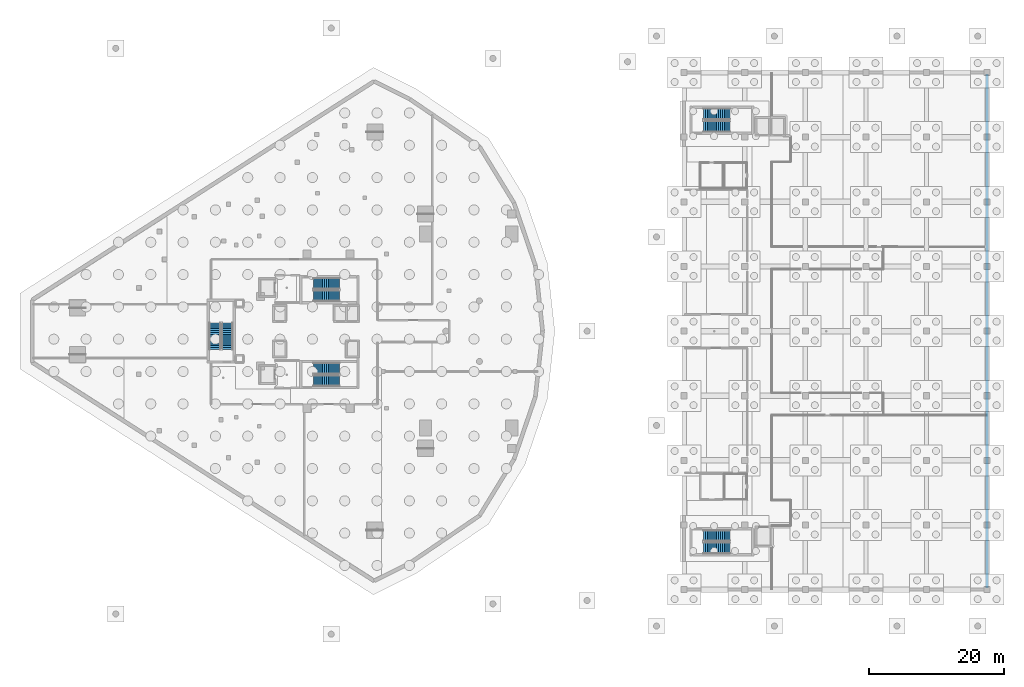
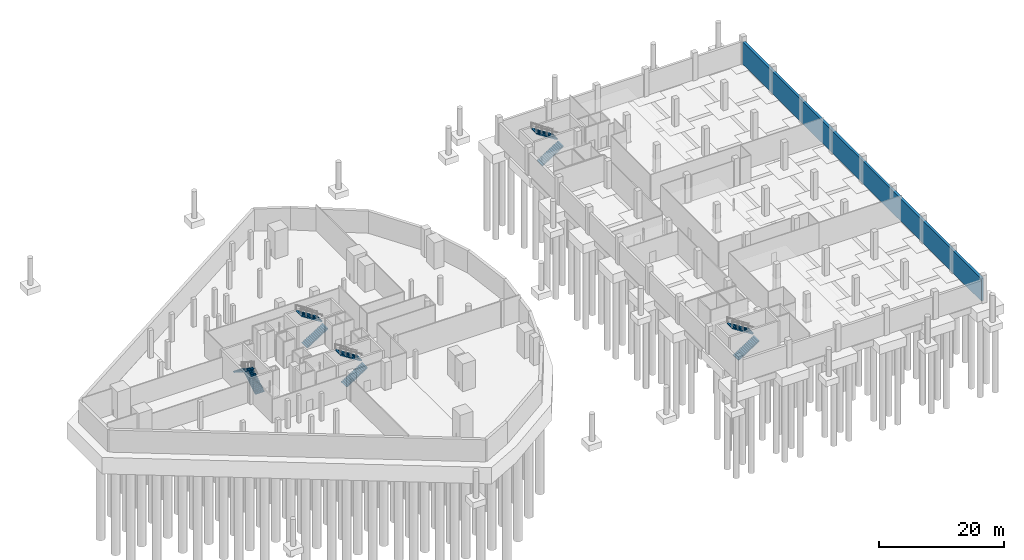
# One storey, part 12 of 22: 10 stair flights, 1 wall, 5 elements without a shape of their own.
"""IFC4 building model written with IfcOpenShell, lengths in metres."""

from ifc_helpers import new_model, si_unit, direction, frame, frame_2d, origin, place, context, subcontext, project, spatial, polyline, rectangle, outline, extrude, material, layer, layer_set, type_object, element, aggregate, save


model = new_model("IFC4")

# Units and contexts
model_context = context("Model", 3, precision=1e-05, world=origin(), true_north=direction((0.0, 1.0)))
body_context = subcontext(model_context, "Body", "Model", "MODEL_VIEW")
ifc_project = project(units=[si_unit("LENGTHUNIT", "METRE"), si_unit("AREAUNIT", "SQUARE_METRE"), si_unit("VOLUMEUNIT", "CUBIC_METRE"), si_unit("PLANEANGLEUNIT", "RADIAN"), si_unit("MASSUNIT", "GRAM", prefix="KILO")], contexts=[model_context])

# Site, building, storey
site_placement = place(None, origin())
site = spatial("IfcSite", under=ifc_project, at=site_placement, CompositionType="ELEMENT")
building_placement = place(site_placement, origin())
building = spatial("IfcBuilding", under=site, at=building_placement, Name="Qorvath Tower", CompositionType="ELEMENT")
storey_placement = place(building_placement, frame((0.0, 0.0, -5.39990234375)))
storey = spatial("IfcBuildingStorey", under=building, at=storey_placement, Name="B01", CompositionType="ELEMENT", Elevation=-5.39990234375)

# Wall
ifc_material_1 = material(Name="Concrete C45/55", Category="concrete")
ifc_layer_1 = layer(ifc_material_1, 0.449951171875)
ifc_layer_set_1 = layer_set([ifc_layer_1], Name="WL-RW-450")
wall_type = type_object("IfcWallType", Name="WL-RW-450", PredefinedType="USERDEFINED", material=ifc_layer_set_1)
wall_placement = place(storey_placement, frame((77.39990234375, -38.159912109375, 0.0), z_axis=(0.0, 0.0, 1.0), x_axis=(0.0, 1.0, 0.0)))
element("IfcWall", 1, at=wall_placement, inside=storey, type_object=wall_type, Name="Library Basement Retaining Wall 2", ObjectType="RETAININGWALL", PredefinedType="USERDEFINED", context=body_context, shape_type="SweptSolid", body=[
    extrude(rectangle(XDim=76.31982421875, YDim=0.449951171875, at=frame_2d((38.159912109375, 0.0))), origin(), (0.0, 0.0, 1.0), 4.349853515625),
])

# Stair, stair flights
ifc_material_2 = material(Name="Concrete C50/60", Category="concrete")
stair_type = type_object("IfcStairType", Name="ST-H540", PredefinedType="HALF_TURN_STAIR", material=ifc_material_2)
stair_1_placement = place(storey_placement, origin())
stair_1 = element("IfcStair", 2, at=stair_1_placement, inside=storey, type_object=stair_type, Name="B01 Library Exit Stair 1", PredefinedType="HALF_TURN_STAIR")
ifc_material_3 = material(Name="Concrete C50/60", Category="concrete")
ifc_layer_2 = layer(ifc_material_3, 0.14990234375)
ifc_layer_set_2 = layer_set([ifc_layer_2], Name="SF-H540")
stair_flight_type = type_object("IfcStairFlightType", Name="SF-H540", PredefinedType="STRAIGHT", material=ifc_layer_set_2)
stair_flight_1_placement = place(storey_placement, frame((35.280029296875, 30.389892578125, 0.0), z_axis=(0.0, 0.0, 1.0), x_axis=(1.0, 0.0, 0.0)))
stair_flight_1 = element("IfcStairFlight", 3, at=stair_flight_1_placement, type_object=stair_flight_type, Name="LS1 flight 1", NumberOfRisers=15, NumberOfTreads=14, PredefinedType="STRAIGHT", RiserHeight=0.18, TreadLength=0.28, context=body_context, shape_type="SweptSolid", body=[
    extrude(outline(polyline([(0.0, 0.0), (0.0, 0.179931640625), (0.280029296875, 0.179931640625), (0.280029296875, 0.360107421875), (0.56005859375, 0.360107421875), (0.56005859375, 0.5400390625), (0.840087890625, 0.5400390625), (0.840087890625, 0.719970703125), (1.1201171875, 0.719970703125), (1.1201171875, 0.89990234375), (1.39990234375, 0.89990234375), (1.39990234375, 1.080078125), (1.679931640625, 1.080078125), (1.679931640625, 1.260009765625), (1.9599609375, 1.260009765625), (1.9599609375, 1.43994140625), (2.239990234375, 1.43994140625), (2.239990234375, 1.6201171875), (2.52001953125, 1.6201171875), (2.52001953125, 1.800048828125), (2.800048828125, 1.800048828125), (2.800048828125, 1.97998046875), (3.080078125, 1.97998046875), (3.080078125, 2.159912109375), (3.360107421875, 2.159912109375), (3.360107421875, 2.340087890625), (3.639892578125, 2.340087890625), (3.639892578125, 2.52001953125), (3.919921875, 2.52001953125), (3.919921875, 2.699951171875), (3.919921875, 2.341796875), (0.277099609375, 0.0), (0.0, 0.0)])), frame((0.0, 0.83984375, 0.0), z_axis=(0.0, -1.0, 0.0), x_axis=(1.0, 0.0, 0.0)), (0.0, 0.0, 1.0), 1.679931640625),
])
stair_flight_2_placement = place(storey_placement, frame((39.199951171875, 32.219970703125, 2.699951171875), z_axis=(0.0, 0.0, 1.0), x_axis=(-1.0, 0.0, 0.0)))
stair_flight_2 = element("IfcStairFlight", 4, at=stair_flight_2_placement, type_object=stair_flight_type, Name="LS1 flight 2", NumberOfRisers=15, NumberOfTreads=14, PredefinedType="STRAIGHT", RiserHeight=0.18, TreadLength=0.28, context=body_context, shape_type="SweptSolid", body=[
    extrude(outline(polyline([(0.0, 0.0), (0.0, 0.179931640625), (0.280029296875, 0.179931640625), (0.280029296875, 0.360107421875), (0.56005859375, 0.360107421875), (0.56005859375, 0.5400390625), (0.840087890625, 0.5400390625), (0.840087890625, 0.719970703125), (1.1201171875, 0.719970703125), (1.1201171875, 0.89990234375), (1.39990234375, 0.89990234375), (1.39990234375, 1.080078125), (1.679931640625, 1.080078125), (1.679931640625, 1.260009765625), (1.9599609375, 1.260009765625), (1.9599609375, 1.43994140625), (2.239990234375, 1.43994140625), (2.239990234375, 1.6201171875), (2.52001953125, 1.6201171875), (2.52001953125, 1.800048828125), (2.800048828125, 1.800048828125), (2.800048828125, 1.97998046875), (3.080078125, 1.97998046875), (3.080078125, 2.159912109375), (3.360107421875, 2.159912109375), (3.360107421875, 2.340087890625), (3.639892578125, 2.340087890625), (3.639892578125, 2.52001953125), (3.919921875, 2.52001953125), (3.919921875, 2.699951171875), (3.919921875, 2.341796875), (0.277099609375, 0.0), (0.0, 0.0)])), frame((0.0, 0.83984375, 0.0), z_axis=(0.0, -1.0, 0.0), x_axis=(1.0, 0.0, 0.0)), (0.0, 0.0, 1.0), 1.679931640625),
])
aggregate(stair_1, [stair_flight_1, stair_flight_2])

stair_2_placement = place(storey_placement, origin())
stair_2 = element("IfcStair", 5, at=stair_2_placement, inside=storey, type_object=stair_type, Name="B01 Library Exit Stair 2", PredefinedType="HALF_TURN_STAIR")
stair_flight_3_placement = place(storey_placement, frame((35.280029296875, -32.2099609375, 0.0), z_axis=(0.0, 0.0, 1.0), x_axis=(1.0, 0.0, 0.0)))
stair_flight_3 = element("IfcStairFlight", 6, at=stair_flight_3_placement, type_object=stair_flight_type, Name="LS2 flight 1", NumberOfRisers=15, NumberOfTreads=14, PredefinedType="STRAIGHT", RiserHeight=0.18, TreadLength=0.28, context=body_context, shape_type="SweptSolid", body=[
    extrude(outline(polyline([(0.0, 0.0), (0.0, 0.179931640625), (0.280029296875, 0.179931640625), (0.280029296875, 0.360107421875), (0.56005859375, 0.360107421875), (0.56005859375, 0.5400390625), (0.840087890625, 0.5400390625), (0.840087890625, 0.719970703125), (1.1201171875, 0.719970703125), (1.1201171875, 0.89990234375), (1.39990234375, 0.89990234375), (1.39990234375, 1.080078125), (1.679931640625, 1.080078125), (1.679931640625, 1.260009765625), (1.9599609375, 1.260009765625), (1.9599609375, 1.43994140625), (2.239990234375, 1.43994140625), (2.239990234375, 1.6201171875), (2.52001953125, 1.6201171875), (2.52001953125, 1.800048828125), (2.800048828125, 1.800048828125), (2.800048828125, 1.97998046875), (3.080078125, 1.97998046875), (3.080078125, 2.159912109375), (3.360107421875, 2.159912109375), (3.360107421875, 2.340087890625), (3.639892578125, 2.340087890625), (3.639892578125, 2.52001953125), (3.919921875, 2.52001953125), (3.919921875, 2.699951171875), (3.919921875, 2.341796875), (0.277099609375, 0.0), (0.0, 0.0)])), frame((0.0, 0.83984375, 0.0), z_axis=(0.0, -1.0, 0.0), x_axis=(1.0, 0.0, 0.0)), (0.0, 0.0, 1.0), 1.679931640625),
])
stair_flight_4_placement = place(storey_placement, frame((39.199951171875, -30.3798828125, 2.699951171875), z_axis=(0.0, 0.0, 1.0), x_axis=(-1.0, 0.0, 0.0)))
stair_flight_4 = element("IfcStairFlight", 7, at=stair_flight_4_placement, type_object=stair_flight_type, Name="LS2 flight 2", NumberOfRisers=15, NumberOfTreads=14, PredefinedType="STRAIGHT", RiserHeight=0.18, TreadLength=0.28, context=body_context, shape_type="SweptSolid", body=[
    extrude(outline(polyline([(0.0, 0.0), (0.0, 0.179931640625), (0.280029296875, 0.179931640625), (0.280029296875, 0.360107421875), (0.56005859375, 0.360107421875), (0.56005859375, 0.5400390625), (0.840087890625, 0.5400390625), (0.840087890625, 0.719970703125), (1.1201171875, 0.719970703125), (1.1201171875, 0.89990234375), (1.39990234375, 0.89990234375), (1.39990234375, 1.080078125), (1.679931640625, 1.080078125), (1.679931640625, 1.260009765625), (1.9599609375, 1.260009765625), (1.9599609375, 1.43994140625), (2.239990234375, 1.43994140625), (2.239990234375, 1.6201171875), (2.52001953125, 1.6201171875), (2.52001953125, 1.800048828125), (2.800048828125, 1.800048828125), (2.800048828125, 1.97998046875), (3.080078125, 1.97998046875), (3.080078125, 2.159912109375), (3.360107421875, 2.159912109375), (3.360107421875, 2.340087890625), (3.639892578125, 2.340087890625), (3.639892578125, 2.52001953125), (3.919921875, 2.52001953125), (3.919921875, 2.699951171875), (3.919921875, 2.341796875), (0.277099609375, 0.0), (0.0, 0.0)])), frame((0.0, 0.83984375, 0.0), z_axis=(0.0, -1.0, 0.0), x_axis=(1.0, 0.0, 0.0)), (0.0, 0.0, 1.0), 1.679931640625),
])
aggregate(stair_2, [stair_flight_3, stair_flight_4])

stair_3_placement = place(storey_placement, origin())
stair_3 = element("IfcStair", 8, at=stair_3_placement, inside=storey, type_object=stair_type, Name="B01 Tower Exit Stair 1", PredefinedType="HALF_TURN_STAIR")
stair_flight_5_placement = place(storey_placement, frame((-22.669921875, 5.239990234375, 0.0), z_axis=(0.0, 0.0, 1.0), x_axis=(1.0, 0.0, 0.0)))
stair_flight_5 = element("IfcStairFlight", 9, at=stair_flight_5_placement, type_object=stair_flight_type, Name="TS1 flight 1", NumberOfRisers=15, NumberOfTreads=14, PredefinedType="STRAIGHT", RiserHeight=0.18, TreadLength=0.28, context=body_context, shape_type="SweptSolid", body=[
    extrude(outline(polyline([(0.0, 0.0), (0.0, 0.179931640625), (0.280029296875, 0.179931640625), (0.280029296875, 0.360107421875), (0.56005859375, 0.360107421875), (0.56005859375, 0.5400390625), (0.840087890625, 0.5400390625), (0.840087890625, 0.719970703125), (1.1201171875, 0.719970703125), (1.1201171875, 0.89990234375), (1.39990234375, 0.89990234375), (1.39990234375, 1.080078125), (1.679931640625, 1.080078125), (1.679931640625, 1.260009765625), (1.9599609375, 1.260009765625), (1.9599609375, 1.43994140625), (2.239990234375, 1.43994140625), (2.239990234375, 1.6201171875), (2.52001953125, 1.6201171875), (2.52001953125, 1.800048828125), (2.800048828125, 1.800048828125), (2.800048828125, 1.97998046875), (3.080078125, 1.97998046875), (3.080078125, 2.159912109375), (3.360107421875, 2.159912109375), (3.360107421875, 2.340087890625), (3.639892578125, 2.340087890625), (3.639892578125, 2.52001953125), (3.919921875, 2.52001953125), (3.919921875, 2.699951171875), (3.919921875, 2.341796875), (0.277099609375, 0.0), (0.0, 0.0)])), frame((0.0, 0.83984375, 0.0), z_axis=(0.0, -1.0, 0.0), x_axis=(1.0, 0.0, 0.0)), (0.0, 0.0, 1.0), 1.679931640625),
])
stair_flight_6_placement = place(storey_placement, frame((-18.75, 7.070068359375, 2.699951171875), z_axis=(0.0, 0.0, 1.0), x_axis=(-1.0, 0.0, 0.0)))
stair_flight_6 = element("IfcStairFlight", 10, at=stair_flight_6_placement, type_object=stair_flight_type, Name="TS1 flight 2", NumberOfRisers=15, NumberOfTreads=14, PredefinedType="STRAIGHT", RiserHeight=0.18, TreadLength=0.28, context=body_context, shape_type="SweptSolid", body=[
    extrude(outline(polyline([(0.0, 0.0), (0.0, 0.179931640625), (0.280029296875, 0.179931640625), (0.280029296875, 0.360107421875), (0.56005859375, 0.360107421875), (0.56005859375, 0.5400390625), (0.840087890625, 0.5400390625), (0.840087890625, 0.719970703125), (1.1201171875, 0.719970703125), (1.1201171875, 0.89990234375), (1.39990234375, 0.89990234375), (1.39990234375, 1.080078125), (1.679931640625, 1.080078125), (1.679931640625, 1.260009765625), (1.9599609375, 1.260009765625), (1.9599609375, 1.43994140625), (2.239990234375, 1.43994140625), (2.239990234375, 1.6201171875), (2.52001953125, 1.6201171875), (2.52001953125, 1.800048828125), (2.800048828125, 1.800048828125), (2.800048828125, 1.97998046875), (3.080078125, 1.97998046875), (3.080078125, 2.159912109375), (3.360107421875, 2.159912109375), (3.360107421875, 2.340087890625), (3.639892578125, 2.340087890625), (3.639892578125, 2.52001953125), (3.919921875, 2.52001953125), (3.919921875, 2.699951171875), (3.919921875, 2.341796875), (0.277099609375, 0.0), (0.0, 0.0)])), frame((0.0, 0.83984375, 0.0), z_axis=(0.0, -1.0, 0.0), x_axis=(1.0, 0.0, 0.0)), (0.0, 0.0, 1.0), 1.679931640625),
])
aggregate(stair_3, [stair_flight_5, stair_flight_6])

stair_4_placement = place(storey_placement, origin())
stair_4 = element("IfcStair", 11, at=stair_4_placement, inside=storey, type_object=stair_type, Name="B01 Tower Exit Stair 2", PredefinedType="HALF_TURN_STAIR")
stair_flight_7_placement = place(storey_placement, frame((-22.669921875, -7.360107421875, 0.0), z_axis=(0.0, 0.0, 1.0), x_axis=(1.0, 0.0, 0.0)))
stair_flight_7 = element("IfcStairFlight", 12, at=stair_flight_7_placement, type_object=stair_flight_type, Name="TS2 flight 1", NumberOfRisers=15, NumberOfTreads=14, PredefinedType="STRAIGHT", RiserHeight=0.18, TreadLength=0.28, context=body_context, shape_type="SweptSolid", body=[
    extrude(outline(polyline([(0.0, 0.0), (0.0, 0.179931640625), (0.280029296875, 0.179931640625), (0.280029296875, 0.360107421875), (0.56005859375, 0.360107421875), (0.56005859375, 0.5400390625), (0.840087890625, 0.5400390625), (0.840087890625, 0.719970703125), (1.1201171875, 0.719970703125), (1.1201171875, 0.89990234375), (1.39990234375, 0.89990234375), (1.39990234375, 1.080078125), (1.679931640625, 1.080078125), (1.679931640625, 1.260009765625), (1.9599609375, 1.260009765625), (1.9599609375, 1.43994140625), (2.239990234375, 1.43994140625), (2.239990234375, 1.6201171875), (2.52001953125, 1.6201171875), (2.52001953125, 1.800048828125), (2.800048828125, 1.800048828125), (2.800048828125, 1.97998046875), (3.080078125, 1.97998046875), (3.080078125, 2.159912109375), (3.360107421875, 2.159912109375), (3.360107421875, 2.340087890625), (3.639892578125, 2.340087890625), (3.639892578125, 2.52001953125), (3.919921875, 2.52001953125), (3.919921875, 2.699951171875), (3.919921875, 2.341796875), (0.277099609375, 0.0), (0.0, 0.0)])), frame((0.0, 0.83984375, 0.0), z_axis=(0.0, -1.0, 0.0), x_axis=(1.0, 0.0, 0.0)), (0.0, 0.0, 1.0), 1.679931640625),
])
stair_flight_8_placement = place(storey_placement, frame((-18.75, -5.530029296875, 2.699951171875), z_axis=(0.0, 0.0, 1.0), x_axis=(-1.0, 0.0, 0.0)))
stair_flight_8 = element("IfcStairFlight", 13, at=stair_flight_8_placement, type_object=stair_flight_type, Name="TS2 flight 2", NumberOfRisers=15, NumberOfTreads=14, PredefinedType="STRAIGHT", RiserHeight=0.18, TreadLength=0.28, context=body_context, shape_type="SweptSolid", body=[
    extrude(outline(polyline([(0.0, 0.0), (0.0, 0.179931640625), (0.280029296875, 0.179931640625), (0.280029296875, 0.360107421875), (0.56005859375, 0.360107421875), (0.56005859375, 0.5400390625), (0.840087890625, 0.5400390625), (0.840087890625, 0.719970703125), (1.1201171875, 0.719970703125), (1.1201171875, 0.89990234375), (1.39990234375, 0.89990234375), (1.39990234375, 1.080078125), (1.679931640625, 1.080078125), (1.679931640625, 1.260009765625), (1.9599609375, 1.260009765625), (1.9599609375, 1.43994140625), (2.239990234375, 1.43994140625), (2.239990234375, 1.6201171875), (2.52001953125, 1.6201171875), (2.52001953125, 1.800048828125), (2.800048828125, 1.800048828125), (2.800048828125, 1.97998046875), (3.080078125, 1.97998046875), (3.080078125, 2.159912109375), (3.360107421875, 2.159912109375), (3.360107421875, 2.340087890625), (3.639892578125, 2.340087890625), (3.639892578125, 2.52001953125), (3.919921875, 2.52001953125), (3.919921875, 2.699951171875), (3.919921875, 2.341796875), (0.277099609375, 0.0), (0.0, 0.0)])), frame((0.0, 0.83984375, 0.0), z_axis=(0.0, -1.0, 0.0), x_axis=(1.0, 0.0, 0.0)), (0.0, 0.0, 1.0), 1.679931640625),
])
aggregate(stair_4, [stair_flight_7, stair_flight_8])

stair_5_placement = place(storey_placement, origin())
stair_5 = element("IfcStair", 14, at=stair_5_placement, inside=storey, type_object=stair_type, Name="B01 Tower Exit Stair 3", PredefinedType="HALF_TURN_STAIR")
stair_flight_9_placement = place(storey_placement, frame((-35.43994140625, -2.719970703125, 0.0), z_axis=(0.0, 0.0, 1.0), x_axis=(0.0, 1.0, 0.0)))
stair_flight_9 = element("IfcStairFlight", 15, at=stair_flight_9_placement, type_object=stair_flight_type, Name="TS3 flight 1", NumberOfRisers=15, NumberOfTreads=14, PredefinedType="STRAIGHT", RiserHeight=0.18, TreadLength=0.28, context=body_context, shape_type="SweptSolid", body=[
    extrude(outline(polyline([(0.0, 0.0), (0.0, 0.179931640625), (0.280029296875, 0.179931640625), (0.280029296875, 0.360107421875), (0.56005859375, 0.360107421875), (0.56005859375, 0.5400390625), (0.840087890625, 0.5400390625), (0.840087890625, 0.719970703125), (1.1201171875, 0.719970703125), (1.1201171875, 0.89990234375), (1.39990234375, 0.89990234375), (1.39990234375, 1.080078125), (1.679931640625, 1.080078125), (1.679931640625, 1.260009765625), (1.9599609375, 1.260009765625), (1.9599609375, 1.43994140625), (2.239990234375, 1.43994140625), (2.239990234375, 1.6201171875), (2.52001953125, 1.6201171875), (2.52001953125, 1.800048828125), (2.800048828125, 1.800048828125), (2.800048828125, 1.97998046875), (3.080078125, 1.97998046875), (3.080078125, 2.159912109375), (3.360107421875, 2.159912109375), (3.360107421875, 2.340087890625), (3.639892578125, 2.340087890625), (3.639892578125, 2.52001953125), (3.919921875, 2.52001953125), (3.919921875, 2.699951171875), (3.919921875, 2.341796875), (0.277099609375, 0.0), (0.0, 0.0)])), frame((0.0, 0.83984375, 0.0), z_axis=(0.0, -1.0, 0.0), x_axis=(1.0, 0.0, 0.0)), (0.0, 0.0, 1.0), 1.679931640625),
])
stair_flight_10_placement = place(storey_placement, frame((-37.27001953125, 1.199951171875, 2.699951171875), z_axis=(0.0, 0.0, 1.0), x_axis=(0.0, -1.0, 0.0)))
stair_flight_10 = element("IfcStairFlight", 16, at=stair_flight_10_placement, type_object=stair_flight_type, Name="TS3 flight 2", NumberOfRisers=15, NumberOfTreads=14, PredefinedType="STRAIGHT", RiserHeight=0.18, TreadLength=0.28, context=body_context, shape_type="SweptSolid", body=[
    extrude(outline(polyline([(0.0, 0.0), (0.0, 0.179931640625), (0.280029296875, 0.179931640625), (0.280029296875, 0.360107421875), (0.56005859375, 0.360107421875), (0.56005859375, 0.5400390625), (0.840087890625, 0.5400390625), (0.840087890625, 0.719970703125), (1.1201171875, 0.719970703125), (1.1201171875, 0.89990234375), (1.39990234375, 0.89990234375), (1.39990234375, 1.080078125), (1.679931640625, 1.080078125), (1.679931640625, 1.260009765625), (1.9599609375, 1.260009765625), (1.9599609375, 1.43994140625), (2.239990234375, 1.43994140625), (2.239990234375, 1.6201171875), (2.52001953125, 1.6201171875), (2.52001953125, 1.800048828125), (2.800048828125, 1.800048828125), (2.800048828125, 1.97998046875), (3.080078125, 1.97998046875), (3.080078125, 2.159912109375), (3.360107421875, 2.159912109375), (3.360107421875, 2.340087890625), (3.639892578125, 2.340087890625), (3.639892578125, 2.52001953125), (3.919921875, 2.52001953125), (3.919921875, 2.699951171875), (3.919921875, 2.341796875), (0.277099609375, 0.0), (0.0, 0.0)])), frame((0.0, 0.83984375, 0.0), z_axis=(0.0, -1.0, 0.0), x_axis=(1.0, 0.0, 0.0)), (0.0, 0.0, 1.0), 1.679931640625),
])
aggregate(stair_5, [stair_flight_9, stair_flight_10])

save(model, "model.ifc")
